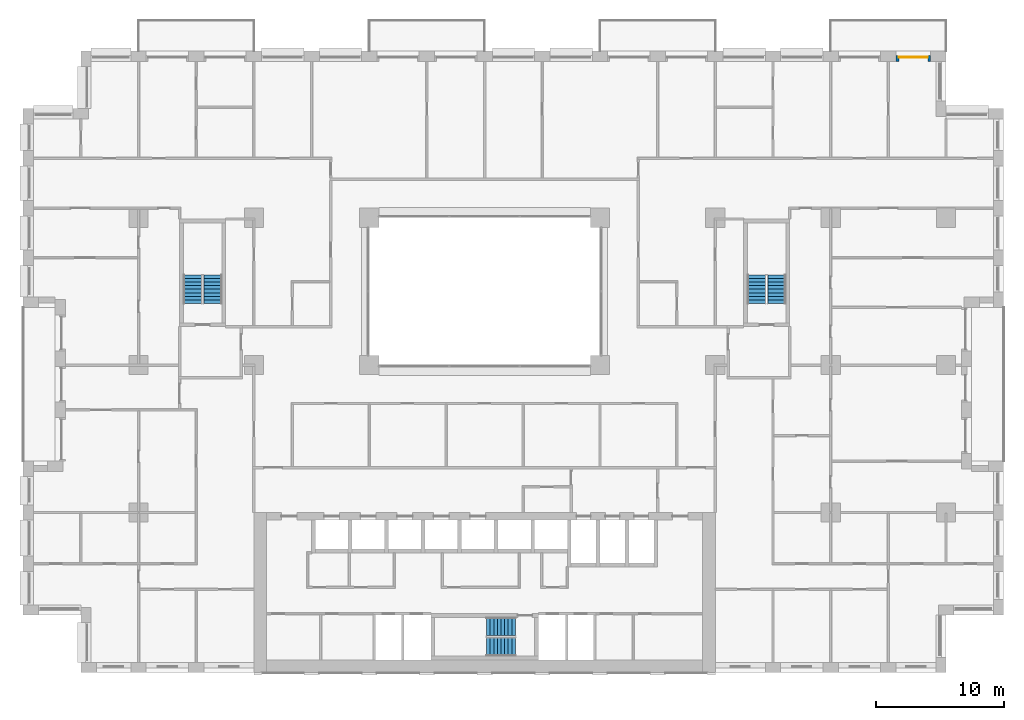
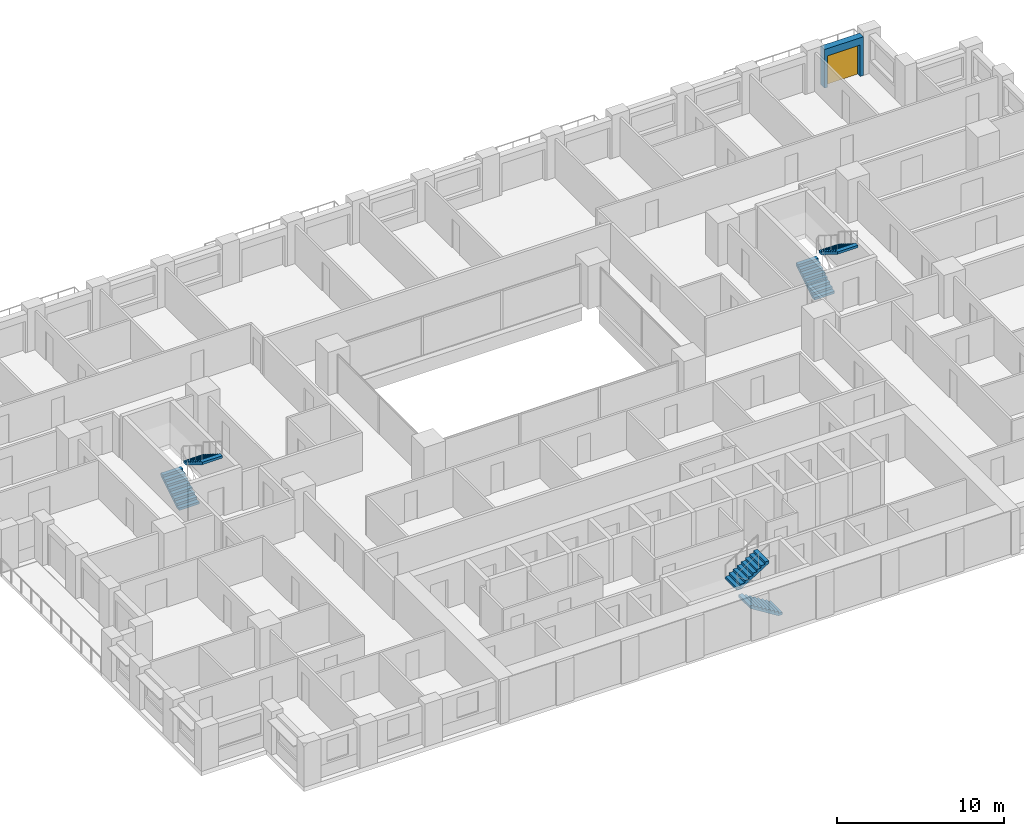
# One storey, part 17 of 19: 6 stair flights, 1 door, 1 wall, 1 opening, 3 elements without a shape of their own.
"""IFC4 building model written with IfcOpenShell, lengths in metres."""

from ifc_helpers import new_model, si_unit, direction, frame, frame_2d, origin, place, context, subcontext, project, spatial, polyline, rectangle, outline, extrude, material, layer, layer_set, type_object, element, fill, aggregate, save


model = new_model("IFC4")

# Units and contexts
model_context = context("Model", 3, precision=1e-05, world=origin(), true_north=direction((0.0, 1.0)))
body_context = subcontext(model_context, "Body", "Model", "MODEL_VIEW")
ifc_project = project(units=[si_unit("LENGTHUNIT", "METRE"), si_unit("AREAUNIT", "SQUARE_METRE"), si_unit("VOLUMEUNIT", "CUBIC_METRE"), si_unit("PLANEANGLEUNIT", "RADIAN"), si_unit("MASSUNIT", "GRAM", prefix="KILO")], contexts=[model_context])

# Site, building, storey
site_placement = place(None, origin())
site = spatial("IfcSite", under=ifc_project, at=site_placement, CompositionType="ELEMENT")
building_placement = place(site_placement, origin())
building = spatial("IfcBuilding", under=site, at=building_placement, Name="Brigalow Station Residences", CompositionType="ELEMENT")
storey_placement = place(building_placement, frame((0.0, 0.0, 25.800048828125)))
storey = spatial("IfcBuildingStorey", under=building, at=storey_placement, Name="L06", CompositionType="ELEMENT", Elevation=25.800048828125)

# Wall, opening, door
ifc_material_1 = material(Name="Clay brick masonry", Category="masonry")
ifc_layer = layer(ifc_material_1, 0.449951171875)
ifc_layer_set = layer_set([ifc_layer], Name="BRICK INFILL WALL 450")
wall_type = type_object("IfcWallType", Name="BRICK INFILL WALL 450", PredefinedType="SOLIDWALL", material=ifc_layer_set)
wall_placement = place(storey_placement, frame((70.800048828125, 47.925048828125, 0.0), z_axis=(0.0, 0.0, 1.0), x_axis=(-1.0, 0.0, 0.0)))
wall = element("IfcWall", 1, at=wall_placement, inside=storey, type_object=wall_type, Name="L06/ewall/W-L06-25", PredefinedType="SOLIDWALL", context=body_context, shape_type="SweptSolid", body=[
    extrude(rectangle(XDim=2.699951171875, YDim=0.449951171875, at=frame_2d((1.35009765625, 0.0))), origin(), (0.0, 0.0, 1.0), 2.829833984375),
])
opening_placement = place(wall_placement, frame((0.22509765625, 0.0, 0.0)))
opening = element("IfcOpeningElement", 2, at=opening_placement, cuts=wall, Name="Opening D-B2250", PredefinedType="OPENING", context=body_context, shape_type="SweptSolid", body=[
    extrude(rectangle(XDim=2.25, YDim=2.300048828125, at=frame_2d((1.125, 1.14990234375))), frame((0.0, 0.23486328125, 0.0), z_axis=(0.0, -1.0, 0.0), x_axis=(1.0, 0.0, 0.0)), (0.0, 0.0, 1.0), 0.469970703125),
])
ifc_material_2 = material(Name="Anodised aluminium frame with double glazing", Category="aluminium")
door_type = type_object("IfcDoorType", Name="BALCONY SLIDING DOOR 2250x2300", OperationType="SLIDING_TO_LEFT", PredefinedType="DOOR", material=ifc_material_2)
door_placement = place(opening_placement, origin())
door = element("IfcDoor", 3, at=door_placement, inside=storey, type_object=door_type, Name="L06/balcony-door/W-L06-25", OperationType="SLIDING_TO_LEFT", OverallHeight=2.300048828125, OverallWidth=2.25, PredefinedType="DOOR", context=body_context, shape_type="SweptSolid", body=[
    extrude(rectangle(XDim=2.25, YDim=2.300048828125, at=frame_2d((1.125, 1.14990234375))), frame((0.0, -0.06982421875, 0.0), z_axis=(0.0, -1.0, 0.0), x_axis=(1.0, 0.0, 0.0)), (0.0, 0.0, 1.0), 0.050048828125),
])
fill(opening, door)

# Stair, stair flights
ifc_material_3 = material(Name="Concrete C50", Category="concrete")
stair_type = type_object("IfcStairType", Name="EXIT STAIR 1400 2 FLIGHT", PredefinedType="HALF_TURN_STAIR", material=ifc_material_3)
stair_1_placement = place(storey_placement, origin())
stair_1 = element("IfcStair", 4, at=stair_1_placement, inside=storey, type_object=stair_type, Name="EXIT STAIR S2 L06", PredefinedType="HALF_TURN_STAIR")
ifc_material_4 = material(Name="Concrete C50", Category="concrete")
stair_flight_type = type_object("IfcStairFlightType", Name="STAIR FLIGHT 1400", PredefinedType="STRAIGHT", material=ifc_material_4)
stair_flight_1_placement = place(storey_placement, frame((38.39990234375, 2.0, 0.0), z_axis=(0.0, 0.0, 1.0), x_axis=(-1.0, 0.0, 0.0)))
stair_flight_1 = element("IfcStairFlight", 5, at=stair_flight_1_placement, type_object=stair_flight_type, Name="ST-2 flight 1", NumberOfRisers=9, NumberOfTreads=8, PredefinedType="STRAIGHT", RiserHeight=0.175, TreadLength=0.28, context=body_context, shape_type="SweptSolid", body=[
    extrude(outline(polyline([(0.0, 0.0), (0.0, 0.175048828125), (0.280029296875, 0.175048828125), (0.280029296875, 0.35009765625), (0.56005859375, 0.35009765625), (0.56005859375, 0.52490234375), (0.840087890625, 0.52490234375), (0.840087890625, 0.699951171875), (1.1201171875, 0.699951171875), (1.1201171875, 0.875), (1.39990234375, 0.875), (1.39990234375, 1.050048828125), (1.679931640625, 1.050048828125), (1.679931640625, 1.22509765625), (1.9599609375, 1.22509765625), (1.9599609375, 1.39990234375), (2.239990234375, 1.39990234375), (2.239990234375, 1.574951171875), (2.239990234375, 1.22314453125), (0.28271484375, 0.0), (0.0, 0.0)])), frame((0.0, 0.699951171875, 0.0), z_axis=(0.0, -1.0, 0.0), x_axis=(1.0, 0.0, 0.0)), (0.0, 0.0, 1.0), 1.39990234375),
])
stair_flight_2_placement = place(storey_placement, frame((36.159912109375, 3.60009765625, 1.574951171875), z_axis=(0.0, 0.0, 1.0), x_axis=(1.0, 0.0, 0.0)))
stair_flight_2 = element("IfcStairFlight", 6, at=stair_flight_2_placement, type_object=stair_flight_type, Name="ST-2 flight 2", NumberOfRisers=9, NumberOfTreads=8, PredefinedType="STRAIGHT", RiserHeight=0.175, TreadLength=0.28, context=body_context, shape_type="SweptSolid", body=[
    extrude(outline(polyline([(0.0, 0.0), (0.0, 0.175048828125), (0.280029296875, 0.175048828125), (0.280029296875, 0.35009765625), (0.56005859375, 0.35009765625), (0.56005859375, 0.52490234375), (0.840087890625, 0.52490234375), (0.840087890625, 0.699951171875), (1.1201171875, 0.699951171875), (1.1201171875, 0.875), (1.39990234375, 0.875), (1.39990234375, 1.050048828125), (1.679931640625, 1.050048828125), (1.679931640625, 1.22509765625), (1.9599609375, 1.22509765625), (1.9599609375, 1.39990234375), (2.239990234375, 1.39990234375), (2.239990234375, 1.574951171875), (2.239990234375, 1.22314453125), (0.28271484375, 0.0), (0.0, 0.0)])), frame((0.0, 0.699951171875, 0.0), z_axis=(0.0, -1.0, 0.0), x_axis=(1.0, 0.0, 0.0)), (0.0, 0.0, 1.0), 1.39990234375),
])
aggregate(stair_1, [stair_flight_1, stair_flight_2])

stair_2_placement = place(storey_placement, origin())
stair_2 = element("IfcStair", 7, at=stair_2_placement, inside=storey, type_object=stair_type, Name="EXIT STAIR S1 L06", PredefinedType="HALF_TURN_STAIR")
stair_flight_3_placement = place(storey_placement, frame((13.199951171875, 28.800048828125, 0.0), z_axis=(0.0, 0.0, 1.0), x_axis=(0.0, 1.0, 0.0)))
stair_flight_3 = element("IfcStairFlight", 8, at=stair_flight_3_placement, type_object=stair_flight_type, Name="ST-1 flight 1", NumberOfRisers=9, NumberOfTreads=8, PredefinedType="STRAIGHT", RiserHeight=0.175, TreadLength=0.28, context=body_context, shape_type="SweptSolid", body=[
    extrude(outline(polyline([(0.0, 0.0), (0.0, 0.175048828125), (0.280029296875, 0.175048828125), (0.280029296875, 0.35009765625), (0.56005859375, 0.35009765625), (0.56005859375, 0.52490234375), (0.840087890625, 0.52490234375), (0.840087890625, 0.699951171875), (1.1201171875, 0.699951171875), (1.1201171875, 0.875), (1.39990234375, 0.875), (1.39990234375, 1.050048828125), (1.679931640625, 1.050048828125), (1.679931640625, 1.22509765625), (1.9599609375, 1.22509765625), (1.9599609375, 1.39990234375), (2.239990234375, 1.39990234375), (2.239990234375, 1.574951171875), (2.239990234375, 1.22314453125), (0.28271484375, 0.0), (0.0, 0.0)])), frame((0.0, 0.699951171875, 0.0), z_axis=(0.0, -1.0, 0.0), x_axis=(1.0, 0.0, 0.0)), (0.0, 0.0, 1.0), 1.39990234375),
])
stair_flight_4_placement = place(storey_placement, frame((14.800048828125, 31.0400390625, 1.574951171875), z_axis=(0.0, 0.0, 1.0), x_axis=(0.0, -1.0, 0.0)))
stair_flight_4 = element("IfcStairFlight", 9, at=stair_flight_4_placement, type_object=stair_flight_type, Name="ST-1 flight 2", NumberOfRisers=9, NumberOfTreads=8, PredefinedType="STRAIGHT", RiserHeight=0.175, TreadLength=0.28, context=body_context, shape_type="SweptSolid", body=[
    extrude(outline(polyline([(0.0, 0.0), (0.0, 0.175048828125), (0.280029296875, 0.175048828125), (0.280029296875, 0.35009765625), (0.56005859375, 0.35009765625), (0.56005859375, 0.52490234375), (0.840087890625, 0.52490234375), (0.840087890625, 0.699951171875), (1.1201171875, 0.699951171875), (1.1201171875, 0.875), (1.39990234375, 0.875), (1.39990234375, 1.050048828125), (1.679931640625, 1.050048828125), (1.679931640625, 1.22509765625), (1.9599609375, 1.22509765625), (1.9599609375, 1.39990234375), (2.239990234375, 1.39990234375), (2.239990234375, 1.574951171875), (2.239990234375, 1.22314453125), (0.28271484375, 0.0), (0.0, 0.0)])), frame((0.0, 0.699951171875, 0.0), z_axis=(0.0, -1.0, 0.0), x_axis=(1.0, 0.0, 0.0)), (0.0, 0.0, 1.0), 1.39990234375),
])
aggregate(stair_2, [stair_flight_3, stair_flight_4])

stair_3_placement = place(storey_placement, origin())
stair_3 = element("IfcStair", 10, at=stair_3_placement, inside=storey, type_object=stair_type, Name="EXIT STAIR S3 L06", PredefinedType="HALF_TURN_STAIR")
stair_flight_5_placement = place(storey_placement, frame((57.199951171875, 28.800048828125, 0.0), z_axis=(0.0, 0.0, 1.0), x_axis=(0.0, 1.0, 0.0)))
stair_flight_5 = element("IfcStairFlight", 11, at=stair_flight_5_placement, type_object=stair_flight_type, Name="ST-3 flight 1", NumberOfRisers=9, NumberOfTreads=8, PredefinedType="STRAIGHT", RiserHeight=0.175, TreadLength=0.28, context=body_context, shape_type="SweptSolid", body=[
    extrude(outline(polyline([(0.0, 0.0), (0.0, 0.175048828125), (0.280029296875, 0.175048828125), (0.280029296875, 0.35009765625), (0.56005859375, 0.35009765625), (0.56005859375, 0.52490234375), (0.840087890625, 0.52490234375), (0.840087890625, 0.699951171875), (1.1201171875, 0.699951171875), (1.1201171875, 0.875), (1.39990234375, 0.875), (1.39990234375, 1.050048828125), (1.679931640625, 1.050048828125), (1.679931640625, 1.22509765625), (1.9599609375, 1.22509765625), (1.9599609375, 1.39990234375), (2.239990234375, 1.39990234375), (2.239990234375, 1.574951171875), (2.239990234375, 1.22314453125), (0.28271484375, 0.0), (0.0, 0.0)])), frame((0.0, 0.699951171875, 0.0), z_axis=(0.0, -1.0, 0.0), x_axis=(1.0, 0.0, 0.0)), (0.0, 0.0, 1.0), 1.39990234375),
])
stair_flight_6_placement = place(storey_placement, frame((58.800048828125, 31.0400390625, 1.574951171875), z_axis=(0.0, 0.0, 1.0), x_axis=(0.0, -1.0, 0.0)))
stair_flight_6 = element("IfcStairFlight", 12, at=stair_flight_6_placement, type_object=stair_flight_type, Name="ST-3 flight 2", NumberOfRisers=9, NumberOfTreads=8, PredefinedType="STRAIGHT", RiserHeight=0.175, TreadLength=0.28, context=body_context, shape_type="SweptSolid", body=[
    extrude(outline(polyline([(0.0, 0.0), (0.0, 0.175048828125), (0.280029296875, 0.175048828125), (0.280029296875, 0.35009765625), (0.56005859375, 0.35009765625), (0.56005859375, 0.52490234375), (0.840087890625, 0.52490234375), (0.840087890625, 0.699951171875), (1.1201171875, 0.699951171875), (1.1201171875, 0.875), (1.39990234375, 0.875), (1.39990234375, 1.050048828125), (1.679931640625, 1.050048828125), (1.679931640625, 1.22509765625), (1.9599609375, 1.22509765625), (1.9599609375, 1.39990234375), (2.239990234375, 1.39990234375), (2.239990234375, 1.574951171875), (2.239990234375, 1.22314453125), (0.28271484375, 0.0), (0.0, 0.0)])), frame((0.0, 0.699951171875, 0.0), z_axis=(0.0, -1.0, 0.0), x_axis=(1.0, 0.0, 0.0)), (0.0, 0.0, 1.0), 1.39990234375),
])
aggregate(stair_3, [stair_flight_5, stair_flight_6])

save(model, "model.ifc")
